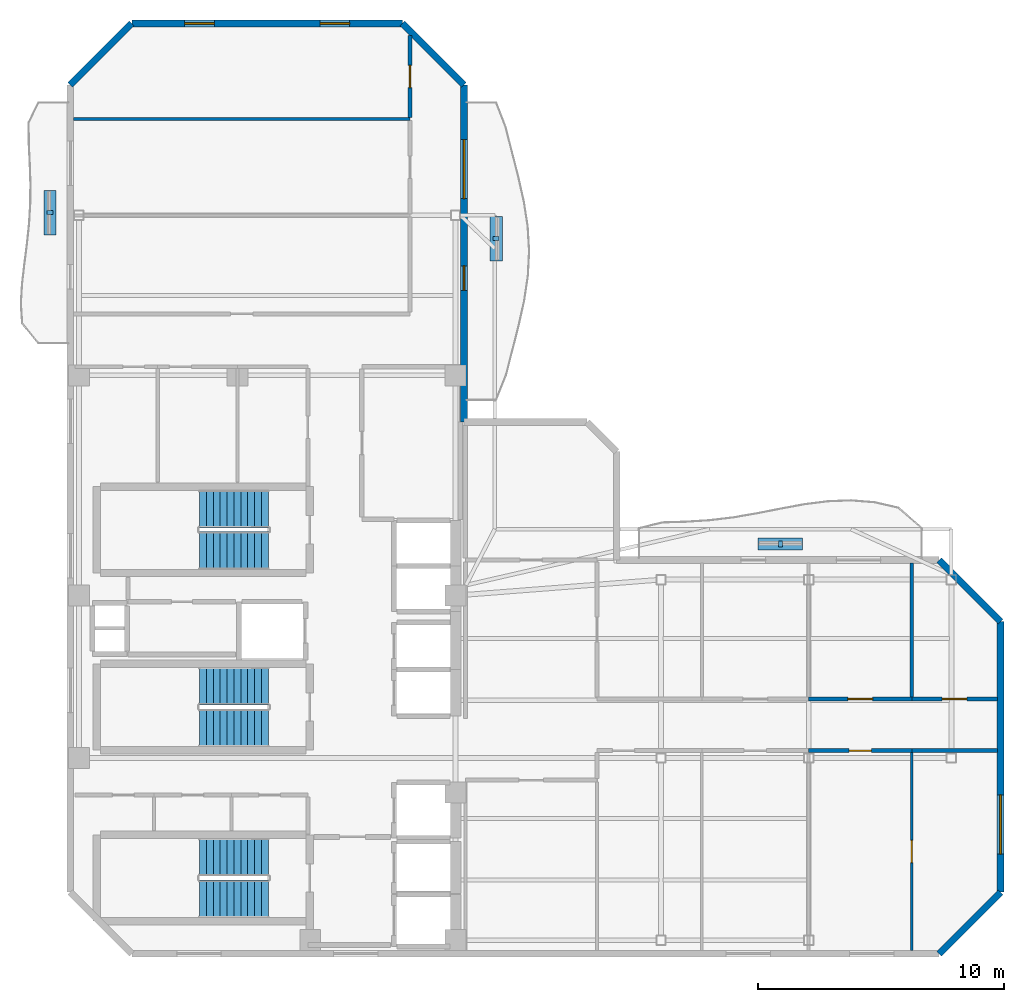
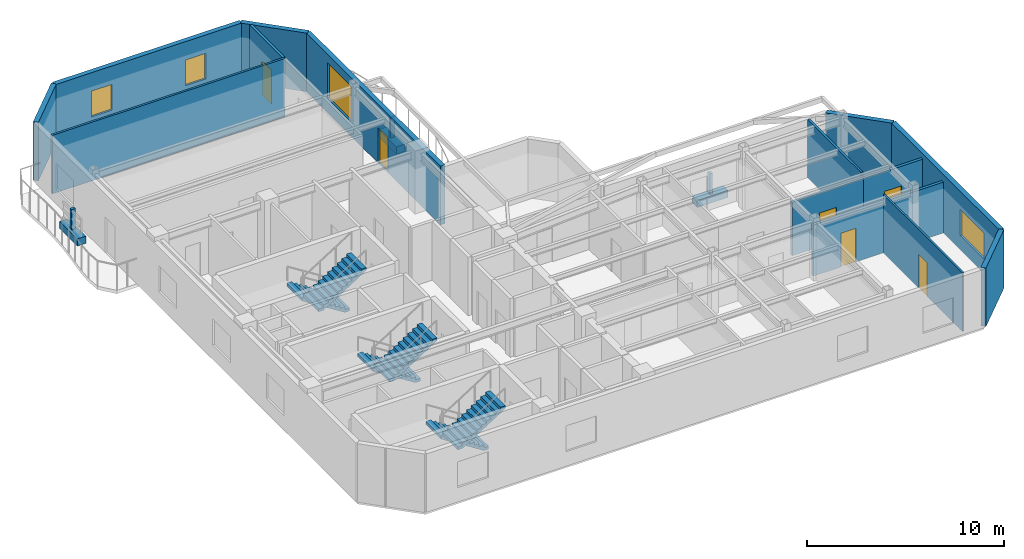
# One storey, part 5 of 7: 15 walls, 6 discrete accessories, 6 doors, 6 stair flights, 4 windows, 10 openings, 3 elements without a shape of their own.
"""IFC4 building model written with IfcOpenShell, lengths in metres."""

from ifc_helpers import new_model, si_unit, direction, frame, frame_2d, origin, origin_2d, place, context, subcontext, project, spatial, polyline, rectangle, outline, extrude, material, layer, layer_set, type_object, element, fill, aggregate, save


model = new_model("IFC4")

# Units and contexts
model_context = context("Model", 3, precision=1e-05, world=origin(), true_north=direction((0.0, 1.0)))
body_context = subcontext(model_context, "Body", "Model", "MODEL_VIEW")
ifc_project = project(units=[si_unit("LENGTHUNIT", "METRE"), si_unit("AREAUNIT", "SQUARE_METRE"), si_unit("VOLUMEUNIT", "CUBIC_METRE"), si_unit("PLANEANGLEUNIT", "RADIAN"), si_unit("MASSUNIT", "GRAM", prefix="KILO")], contexts=[model_context])

# Site, building, storey
site_placement = place(None, origin())
site = spatial("IfcSite", under=ifc_project, at=site_placement, CompositionType="ELEMENT")
building_placement = place(site_placement, origin())
building = spatial("IfcBuilding", under=site, at=building_placement, Name="Mawjaban Terraces University", CompositionType="ELEMENT")
storey_placement = place(building_placement, frame((0.0, 0.0, 302.800048828125)))
storey = spatial("IfcBuildingStorey", under=building, at=storey_placement, Name="L74", CompositionType="ELEMENT", Elevation=302.800048828125)

# Wall, opening, door
ifc_material_1 = material(Name="Fire-rated gypsum board on steel stud", Category="steel")
ifc_layer_1 = layer(ifc_material_1, 0.159912109375)
ifc_layer_set_1 = layer_set([ifc_layer_1], Name="Fire-rated gypsum board on steel stud")
wall_type_1 = type_object("IfcWallType", Name="CorridorPartition_160", PredefinedType="PARTITIONING", material=ifc_layer_set_1)
wall_1_placement = place(storey_placement, frame((52.0, 8.25, 0.0), z_axis=(0.0, 0.0, 1.0), x_axis=(1.0, 0.0, 0.0)))
wall_1 = element("IfcWall", 1, at=wall_1_placement, inside=storey, type_object=wall_type_1, Name="L74 Upper East Research Corridor Partition 21", PredefinedType="PARTITIONING", context=body_context, shape_type="SweptSolid", body=[
    extrude(rectangle(XDim=4.18994140625, YDim=0.159912109375, at=frame_2d((2.094970703125, 0.0))), origin(), (0.0, 0.0, 1.0), 3.1708984375),
])
opening_1_placement = place(wall_1_placement, frame((1.64501953125, 0.0, 0.0)))
opening_1 = element("IfcOpeningElement", 2, at=opening_1_placement, cuts=wall_1, Name="Opening ID-090", PredefinedType="OPENING", context=body_context, shape_type="SweptSolid", body=[
    extrude(rectangle(XDim=0.89990234375, YDim=2.10009765625, at=frame_2d((0.449951171875, 1.050048828125))), frame((0.0, 0.08984375, 0.0), z_axis=(0.0, -1.0, 0.0), x_axis=(1.0, 0.0, 0.0)), (0.0, 0.0, 1.0), 0.179931640625),
])
ifc_material_2 = material(Name="Powder-coated steel frame and solid acoustic timber leaf", Category="steel")
door_type_1 = type_object("IfcDoorType", Name="OfficeDoor_900x2100", OperationType="NOTDEFINED", PredefinedType="DOOR", material=ifc_material_2)
door_1_placement = place(opening_1_placement, origin())
door_1 = element("IfcDoor", 3, at=door_1_placement, inside=storey, type_object=door_type_1, Name="L74 Conference Room 6 Door", OperationType="SINGLE_SWING_LEFT", OverallHeight=2.10009765625, OverallWidth=0.89990234375, PredefinedType="DOOR", context=body_context, shape_type="SweptSolid", body=[
    extrude(rectangle(XDim=0.89990234375, YDim=2.10009765625, at=frame_2d((0.449951171875, 1.050048828125))), frame((0.0, 0.02490234375, 0.0), z_axis=(0.0, -1.0, 0.0), x_axis=(1.0, 0.0, 0.0)), (0.0, 0.0, 1.0), 0.050048828125),
])
fill(opening_1, door_1)

# Wall
wall_2_placement = place(storey_placement, frame((56.18994140625, 8.25, 0.0), z_axis=(0.0, 0.0, 1.0), x_axis=(1.0, 0.0, 0.0)))
element("IfcWall", 4, at=wall_2_placement, inside=storey, type_object=wall_type_1, Name="L74 Upper East Research Corridor Partition 23", PredefinedType="PARTITIONING", context=body_context, shape_type="SweptSolid", body=[
    extrude(rectangle(XDim=3.47705078125, YDim=0.159912109375, at=frame_2d((1.738525390625, 0.0))), origin(), (0.0, 0.0, 1.0), 3.1708984375),
])

# Wall, opening, door
wall_3_placement = place(storey_placement, frame((56.18994140625, 10.35009765625, 0.0), z_axis=(0.0, 0.0, 1.0), x_axis=(-1.0, 0.0, 0.0)))
wall_3 = element("IfcWall", 5, at=wall_3_placement, inside=storey, type_object=wall_type_1, Name="L74 Upper East Research Corridor Partition 24", PredefinedType="PARTITIONING", context=body_context, shape_type="SweptSolid", body=[
    extrude(rectangle(XDim=4.18994140625, YDim=0.159912109375, at=frame_2d((2.094970703125, 0.0))), origin(), (0.0, 0.0, 1.0), 3.322021484375),
])
opening_2_placement = place(wall_3_placement, frame((1.594970703125, 0.0, 0.0)))
opening_2 = element("IfcOpeningElement", 6, at=opening_2_placement, cuts=wall_3, Name="Opening ID-100", PredefinedType="OPENING", context=body_context, shape_type="SweptSolid", body=[
    extrude(rectangle(XDim=1.0, YDim=2.10009765625, at=frame_2d((0.5, 1.050048828125))), frame((0.0, 0.08984375, 0.0), z_axis=(0.0, -1.0, 0.0), x_axis=(1.0, 0.0, 0.0)), (0.0, 0.0, 1.0), 0.179931640625),
])
door_type_2 = type_object("IfcDoorType", Name="ClassroomDoor_1000x2100", OperationType="NOTDEFINED", PredefinedType="DOOR", material=ifc_material_2)
door_2_placement = place(opening_2_placement, origin())
door_2 = element("IfcDoor", 7, at=door_2_placement, inside=storey, type_object=door_type_2, Name="L74 Classroom 7 Door", OperationType="SINGLE_SWING_RIGHT", OverallHeight=2.10009765625, OverallWidth=1.0, PredefinedType="DOOR", context=body_context, shape_type="SweptSolid", body=[
    extrude(rectangle(XDim=1.0, YDim=2.10009765625, at=frame_2d((0.5, 1.050048828125))), frame((0.0, 0.02490234375, 0.0), z_axis=(0.0, -1.0, 0.0), x_axis=(1.0, 0.0, 0.0)), (0.0, 0.0, 1.0), 0.050048828125),
])
fill(opening_2, door_2)

wall_4_placement = place(storey_placement, frame((59.6669921875, 10.35009765625, 0.0), z_axis=(0.0, 0.0, 1.0), x_axis=(-1.0, 0.0, 0.0)))
wall_4 = element("IfcWall", 8, at=wall_4_placement, inside=storey, type_object=wall_type_1, Name="L74 Upper East Research Corridor Partition 25", PredefinedType="PARTITIONING", context=body_context, shape_type="SweptSolid", body=[
    extrude(rectangle(XDim=3.47705078125, YDim=0.159912109375, at=frame_2d((1.738525390625, 0.0))), origin(), (0.0, 0.0, 1.0), 3.322021484375),
])
opening_3_placement = place(wall_4_placement, frame((1.239013671875, 0.0, 0.0)))
opening_3 = element("IfcOpeningElement", 9, at=opening_3_placement, cuts=wall_4, Name="Opening ID-100", PredefinedType="OPENING", context=body_context, shape_type="SweptSolid", body=[
    extrude(rectangle(XDim=1.0, YDim=2.10009765625, at=frame_2d((0.5, 1.050048828125))), frame((0.0, 0.08984375, 0.0), z_axis=(0.0, -1.0, 0.0), x_axis=(1.0, 0.0, 0.0)), (0.0, 0.0, 1.0), 0.179931640625),
])
door_3_placement = place(opening_3_placement, origin())
door_3 = element("IfcDoor", 10, at=door_3_placement, inside=storey, type_object=door_type_2, Name="L74 Tutorial Room 9 Door", OperationType="SINGLE_SWING_RIGHT", OverallHeight=2.10009765625, OverallWidth=1.0, PredefinedType="DOOR", context=body_context, shape_type="SweptSolid", body=[
    extrude(rectangle(XDim=1.0, YDim=2.10009765625, at=frame_2d((0.5, 1.050048828125))), frame((0.0, 0.02490234375, 0.0), z_axis=(0.0, -1.0, 0.0), x_axis=(1.0, 0.0, 0.0)), (0.0, 0.0, 1.0), 0.050048828125),
])
fill(opening_3, door_3)

wall_5_placement = place(storey_placement, frame((35.800048828125, 37.31298828125, 0.0), z_axis=(0.0, 0.0, 1.0), x_axis=(0.0, -1.0, 0.0)))
wall_5 = element("IfcWall", 11, at=wall_5_placement, inside=storey, type_object=wall_type_1, Name="L74 Upper North Research Gallery Partition 36", PredefinedType="PARTITIONING", context=body_context, shape_type="SweptSolid", body=[
    extrude(rectangle(XDim=3.345947265625, YDim=0.159912109375, at=frame_2d((1.6728515625, 0.0))), origin(), (0.0, 0.0, 1.0), 3.639892578125),
])
opening_4_placement = place(wall_5_placement, frame((1.222900390625, 0.0, 0.0)))
opening_4 = element("IfcOpeningElement", 12, at=opening_4_placement, cuts=wall_5, Name="Opening ID-090", PredefinedType="OPENING", context=body_context, shape_type="SweptSolid", body=[
    extrude(rectangle(XDim=0.89990234375, YDim=2.10009765625, at=frame_2d((0.449951171875, 1.050048828125))), frame((0.0, 0.08984375, 0.0), z_axis=(0.0, -1.0, 0.0), x_axis=(1.0, 0.0, 0.0)), (0.0, 0.0, 1.0), 0.179931640625),
])
door_4_placement = place(opening_4_placement, origin())
door_4 = element("IfcDoor", 13, at=door_4_placement, inside=storey, type_object=door_type_1, Name="L74 Quiet Reading Room 12 Door", OperationType="SINGLE_SWING_LEFT", OverallHeight=2.10009765625, OverallWidth=0.89990234375, PredefinedType="DOOR", context=body_context, shape_type="SweptSolid", body=[
    extrude(rectangle(XDim=0.89990234375, YDim=2.10009765625, at=frame_2d((0.449951171875, 1.050048828125))), frame((0.0, 0.02490234375, 0.0), z_axis=(0.0, -1.0, 0.0), x_axis=(1.0, 0.0, 0.0)), (0.0, 0.0, 1.0), 0.050048828125),
])
fill(opening_4, door_4)

# Wall
ifc_material_3 = material(Name="Insulated terracotta rainscreen on concrete backup C40/50", Category="masonry")
ifc_layer_2 = layer(ifc_material_3, 0.27490234375)
ifc_layer_set_2 = layer_set([ifc_layer_2], Name="Insulated terracotta rainscreen on concrete backup C40/50")
wall_type_2 = type_object("IfcWallType", Name="ExtTerracottaWall_275", PredefinedType="SOLIDWALL", material=ifc_layer_set_2)
wall_6_placement = place(storey_placement, frame((57.300048828125, 0.0, 0.0), z_axis=(0.0, 0.0, 1.0), x_axis=(0.707106781187, 0.707106781187, 0.0)))
element("IfcWall", 14, at=wall_6_placement, inside=storey, type_object=wall_type_2, Name="L74 Exterior Terracotta Wall 2", PredefinedType="SOLIDWALL", context=body_context, shape_type="SweptSolid", body=[
    extrude(rectangle(XDim=3.53564453125, YDim=0.27490234375, at=frame_2d((1.767822265625, 0.0))), origin(), (0.0, 0.0, 1.0), 3.639892578125),
])

# Wall, opening, window
wall_7_placement = place(storey_placement, frame((59.800048828125, 2.5, 0.0), z_axis=(0.0, 0.0, 1.0), x_axis=(0.0, 1.0, 0.0)))
wall_7 = element("IfcWall", 15, at=wall_7_placement, inside=storey, type_object=wall_type_2, Name="L74 Exterior Terracotta Wall 3", PredefinedType="SOLIDWALL", context=body_context, shape_type="SweptSolid", body=[
    extrude(rectangle(XDim=11.0, YDim=0.27490234375, at=frame_2d((5.5, 0.0))), origin(), (0.0, 0.0, 1.0), 3.639892578125),
])
opening_5_placement = place(wall_7_placement, frame((1.550048828125, 0.0, 0.89990234375)))
opening_5 = element("IfcOpeningElement", 16, at=opening_5_placement, cuts=wall_7, Name="Opening W-05", PredefinedType="OPENING", context=body_context, shape_type="SweptSolid", body=[
    extrude(rectangle(XDim=2.39990234375, YDim=1.60009765625, at=frame_2d((1.199951171875, 0.800048828125))), frame((0.0, 0.1474609375, 0.0), z_axis=(0.0, -1.0, 0.0), x_axis=(1.0, 0.0, 0.0)), (0.0, 0.0, 1.0), 0.294921875),
])
ifc_material_4 = material(Name="Low-E solar-control double glazing in thermally broken aluminium frame", Category="aluminium")
window_type_1 = type_object("IfcWindowType", Name="Win_2400x1600", PartitioningType="SINGLE_PANEL", PredefinedType="WINDOW", material=ifc_material_4)
window_1_placement = place(opening_5_placement, origin())
window_1 = element("IfcWindow", 17, at=window_1_placement, inside=storey, type_object=window_type_1, Name="L74 Facade Window 3.1", OverallHeight=1.60009765625, OverallWidth=2.39990234375, PartitioningType="SINGLE_PANEL", PredefinedType="WINDOW", context=body_context, shape_type="SweptSolid", body=[
    extrude(rectangle(XDim=2.39990234375, YDim=1.60009765625, at=frame_2d((1.199951171875, 0.800048828125))), frame((0.0, 0.030029296875, 0.0), z_axis=(0.0, -1.0, 0.0), x_axis=(1.0, 0.0, 0.0)), (0.0, 0.0, 1.0), 0.06005859375),
])
fill(opening_5, window_1)

# Wall
wall_8_placement = place(storey_placement, frame((59.800048828125, 13.5, 0.0), z_axis=(0.0, 0.0, 1.0), x_axis=(-0.707106781187, 0.707106781187, 0.0)))
element("IfcWall", 18, at=wall_8_placement, inside=storey, type_object=wall_type_2, Name="L74 Exterior Terracotta Wall 4", PredefinedType="SOLIDWALL", context=body_context, shape_type="SweptSolid", body=[
    extrude(rectangle(XDim=3.53564453125, YDim=0.27490234375, at=frame_2d((1.767822265625, 0.0))), origin(), (0.0, 0.0, 1.0), 3.639892578125),
])

# Wall, openings, door, window
wall_9_placement = place(storey_placement, frame((38.0, 21.60009765625, 0.0), z_axis=(0.0, 0.0, 1.0), x_axis=(0.0, 1.0, 0.0)))
wall_9 = element("IfcWall", 19, at=wall_9_placement, inside=storey, type_object=wall_type_2, Name="L74 Exterior Terracotta Wall 9", PredefinedType="SOLIDWALL", context=body_context, shape_type="SweptSolid", body=[
    extrude(rectangle(XDim=13.699951171875, YDim=0.27490234375, at=frame_2d((6.85009765625, 0.0))), origin(), (0.0, 0.0, 1.0), 3.639892578125),
])
opening_6_placement = place(wall_9_placement, frame((5.35009765625, 0.0, 0.0)))
opening_6 = element("IfcOpeningElement", 20, at=opening_6_placement, cuts=wall_9, Name="Opening BD-100", PredefinedType="OPENING", context=body_context, shape_type="SweptSolid", body=[
    extrude(rectangle(XDim=1.0, YDim=2.199951171875, at=frame_2d((0.5, 1.10009765625))), frame((0.0, 0.1474609375, 0.0), z_axis=(0.0, -1.0, 0.0), x_axis=(1.0, 0.0, 0.0)), (0.0, 0.0, 1.0), 0.294921875),
])
opening_7_placement = place(wall_9_placement, frame((9.074951171875, 0.0, 0.89990234375)))
opening_7 = element("IfcOpeningElement", 21, at=opening_7_placement, cuts=wall_9, Name="Opening W-11", PredefinedType="OPENING", context=body_context, shape_type="SweptSolid", body=[
    extrude(rectangle(XDim=2.39990234375, YDim=2.199951171875, at=frame_2d((1.199951171875, 1.10009765625))), frame((0.0, 0.1474609375, 0.0), z_axis=(0.0, -1.0, 0.0), x_axis=(1.0, 0.0, 0.0)), (0.0, 0.0, 1.0), 0.294921875),
])
ifc_material_5 = material(Name="Thermally broken anodised aluminium and laminated safety glass", Category="aluminium")
door_type_3 = type_object("IfcDoorType", Name="BalconyGlazedDoor_1000x2200", OperationType="NOTDEFINED", PredefinedType="DOOR", material=ifc_material_5)
door_5_placement = place(opening_6_placement, origin())
door_5 = element("IfcDoor", 22, at=door_5_placement, inside=storey, type_object=door_type_3, Name="L74 Balcony Access Door inner_east", OperationType="SINGLE_SWING_LEFT", OverallHeight=2.199951171875, OverallWidth=1.0, PredefinedType="DOOR", context=body_context, shape_type="SweptSolid", body=[
    extrude(rectangle(XDim=1.0, YDim=2.199951171875, at=frame_2d((0.5, 1.10009765625))), frame((0.0, 0.02490234375, 0.0), z_axis=(0.0, -1.0, 0.0), x_axis=(1.0, 0.0, 0.0)), (0.0, 0.0, 1.0), 0.050048828125),
])
fill(opening_6, door_5)
window_type_2 = type_object("IfcWindowType", Name="Win_2400x2200", PartitioningType="SINGLE_PANEL", PredefinedType="WINDOW", material=ifc_material_4)
window_2_placement = place(opening_7_placement, origin())
window_2 = element("IfcWindow", 23, at=window_2_placement, inside=storey, type_object=window_type_2, Name="L74 Facade Window 9.2", OverallHeight=2.199951171875, OverallWidth=2.39990234375, PartitioningType="SINGLE_PANEL", PredefinedType="WINDOW", context=body_context, shape_type="SweptSolid", body=[
    extrude(rectangle(XDim=2.39990234375, YDim=2.199951171875, at=frame_2d((1.199951171875, 1.10009765625))), frame((0.0, 0.030029296875, 0.0), z_axis=(0.0, -1.0, 0.0), x_axis=(1.0, 0.0, 0.0)), (0.0, 0.0, 1.0), 0.06005859375),
])
fill(opening_7, window_2)

# Wall
wall_10_placement = place(storey_placement, frame((38.0, 35.300048828125, 0.0), z_axis=(0.0, 0.0, 1.0), x_axis=(-0.707106781187, 0.707106781187, 0.0)))
element("IfcWall", 24, at=wall_10_placement, inside=storey, type_object=wall_type_2, Name="L74 Exterior Terracotta Wall 10", PredefinedType="SOLIDWALL", context=body_context, shape_type="SweptSolid", body=[
    extrude(rectangle(XDim=3.53564453125, YDim=0.27490234375, at=frame_2d((1.767822265625, 0.0))), origin(), (0.0, 0.0, 1.0), 3.639892578125),
])

# Wall, openings, windows
wall_11_placement = place(storey_placement, frame((35.5, 37.800048828125, 0.0), z_axis=(0.0, 0.0, 1.0), x_axis=(-1.0, 0.0, 0.0)))
wall_11 = element("IfcWall", 25, at=wall_11_placement, inside=storey, type_object=wall_type_2, Name="L74 Exterior Terracotta Wall 11", PredefinedType="SOLIDWALL", context=body_context, shape_type="SweptSolid", body=[
    extrude(rectangle(XDim=11.0, YDim=0.27490234375, at=frame_2d((5.5, 0.0))), origin(), (0.0, 0.0, 1.0), 3.639892578125),
])
opening_8_placement = place(wall_11_placement, frame((2.14990234375, 0.0, 0.89990234375)))
opening_8 = element("IfcOpeningElement", 26, at=opening_8_placement, cuts=wall_11, Name="Opening W-01", PredefinedType="OPENING", context=body_context, shape_type="SweptSolid", body=[
    extrude(rectangle(XDim=1.199951171875, YDim=1.60009765625, at=frame_2d((0.60009765625, 0.800048828125))), frame((0.0, 0.1474609375, 0.0), z_axis=(0.0, -1.0, 0.0), x_axis=(1.0, 0.0, 0.0)), (0.0, 0.0, 1.0), 0.294921875),
])
opening_9_placement = place(wall_11_placement, frame((7.64990234375, 0.0, 0.89990234375)))
opening_9 = element("IfcOpeningElement", 27, at=opening_9_placement, cuts=wall_11, Name="Opening W-01", PredefinedType="OPENING", context=body_context, shape_type="SweptSolid", body=[
    extrude(rectangle(XDim=1.199951171875, YDim=1.60009765625, at=frame_2d((0.60009765625, 0.800048828125))), frame((0.0, 0.1474609375, 0.0), z_axis=(0.0, -1.0, 0.0), x_axis=(1.0, 0.0, 0.0)), (0.0, 0.0, 1.0), 0.294921875),
])
window_type_3 = type_object("IfcWindowType", Name="Win_1200x1600", PartitioningType="SINGLE_PANEL", PredefinedType="WINDOW", material=ifc_material_4)
window_3_placement = place(opening_8_placement, origin())
window_3 = element("IfcWindow", 28, at=window_3_placement, inside=storey, type_object=window_type_3, Name="L74 Facade Window 11.1", OverallHeight=1.60009765625, OverallWidth=1.199951171875, PartitioningType="SINGLE_PANEL", PredefinedType="WINDOW", context=body_context, shape_type="SweptSolid", body=[
    extrude(rectangle(XDim=1.199951171875, YDim=1.60009765625, at=frame_2d((0.60009765625, 0.800048828125))), frame((0.0, 0.030029296875, 0.0), z_axis=(0.0, -1.0, 0.0), x_axis=(1.0, 0.0, 0.0)), (0.0, 0.0, 1.0), 0.06005859375),
])
fill(opening_8, window_3)
window_4_placement = place(opening_9_placement, origin())
window_4 = element("IfcWindow", 29, at=window_4_placement, inside=storey, type_object=window_type_3, Name="L74 Facade Window 11.2", OverallHeight=1.60009765625, OverallWidth=1.199951171875, PartitioningType="SINGLE_PANEL", PredefinedType="WINDOW", context=body_context, shape_type="SweptSolid", body=[
    extrude(rectangle(XDim=1.199951171875, YDim=1.60009765625, at=frame_2d((0.60009765625, 0.800048828125))), frame((0.0, 0.030029296875, 0.0), z_axis=(0.0, -1.0, 0.0), x_axis=(1.0, 0.0, 0.0)), (0.0, 0.0, 1.0), 0.06005859375),
])
fill(opening_9, window_4)

# Walls
wall_12_placement = place(storey_placement, frame((24.5, 37.800048828125, 0.0), z_axis=(0.0, 0.0, 1.0), x_axis=(-0.707106781187, -0.707106781187, 0.0)))
element("IfcWall", 30, at=wall_12_placement, inside=storey, type_object=wall_type_2, Name="L74 Exterior Terracotta Wall 12", PredefinedType="SOLIDWALL", context=body_context, shape_type="SweptSolid", body=[
    extrude(rectangle(XDim=3.53564453125, YDim=0.27490234375, at=frame_2d((1.767822265625, 0.0))), origin(), (0.0, 0.0, 1.0), 3.639892578125),
])
ifc_material_6 = material(Name="Gypsum plasterboard on steel stud", Category="steel")
ifc_layer_3 = layer(ifc_material_6, 0.125)
ifc_layer_set_3 = layer_set([ifc_layer_3], Name="Gypsum plasterboard on steel stud")
wall_type_3 = type_object("IfcWallType", Name="OfficePartition_125", PredefinedType="PARTITIONING", material=ifc_layer_set_3)
wall_13_placement = place(storey_placement, frame((35.800048828125, 33.909912109375, 0.0), z_axis=(0.0, 0.0, 1.0), x_axis=(-1.0, 0.0, 0.0)))
element("IfcWall", 31, at=wall_13_placement, inside=storey, type_object=wall_type_3, Name="L74 Student Tea Pantry 11 Partition 14", PredefinedType="PARTITIONING", context=body_context, shape_type="SweptSolid", body=[
    extrude(rectangle(XDim=13.6669921875, YDim=0.125, at=frame_2d((6.83349609375, 0.0))), origin(), (0.0, 0.0, 1.0), 3.639892578125),
])
wall_14_placement = place(storey_placement, frame((56.18994140625, 10.425048828125, 0.0), z_axis=(0.0, 0.0, 1.0), x_axis=(0.0, 1.0, 0.0)))
element("IfcWall", 32, at=wall_14_placement, inside=storey, type_object=wall_type_3, Name="L74 Classroom 7 Partition 49", PredefinedType="PARTITIONING", context=body_context, shape_type="SweptSolid", body=[
    extrude(rectangle(XDim=5.44189453125, YDim=0.125, at=frame_2d((2.720947265625, 0.0))), origin(), (0.0, 0.0, 1.0), 3.639892578125),
])

# Wall, opening, door
ifc_material_7 = material(Name="Acoustic operable panel partition", Category="masonry")
ifc_layer_4 = layer(ifc_material_7, 0.110107421875)
ifc_layer_set_4 = layer_set([ifc_layer_4], Name="Acoustic operable panel partition")
wall_type_4 = type_object("IfcWallType", Name="OperableSeminarWall_110", PredefinedType="MOVABLE", material=ifc_layer_set_4)
wall_15_placement = place(storey_placement, frame((56.18994140625, 0.133056640625, 0.0), z_axis=(0.0, 0.0, 1.0), x_axis=(0.0, 1.0, 0.0)))
wall_15 = element("IfcWall", 33, at=wall_15_placement, inside=storey, type_object=wall_type_4, Name="L74 Conference Room 6 Partition 48", PredefinedType="MOVABLE", context=body_context, shape_type="SweptSolid", body=[
    extrude(rectangle(XDim=8.0419921875, YDim=0.110107421875, at=frame_2d((4.02099609375, 0.0))), origin(), (0.0, 0.0, 1.0), 3.639892578125),
])
opening_10_placement = place(wall_15_placement, frame((3.571044921875, 0.0, 0.0)))
opening_10 = element("IfcOpeningElement", 34, at=opening_10_placement, cuts=wall_15, Name="Opening ID-090", PredefinedType="OPENING", context=body_context, shape_type="SweptSolid", body=[
    extrude(rectangle(XDim=0.89990234375, YDim=2.10009765625, at=frame_2d((0.449951171875, 1.050048828125))), frame((0.0, 0.06494140625, 0.0), z_axis=(0.0, -1.0, 0.0), x_axis=(1.0, 0.0, 0.0)), (0.0, 0.0, 1.0), 0.130126953125),
])
door_6_placement = place(opening_10_placement, origin())
door_6 = element("IfcDoor", 35, at=door_6_placement, inside=storey, type_object=door_type_1, Name="L74 Seminar Room 8 Door", OperationType="SINGLE_SWING_LEFT", OverallHeight=2.10009765625, OverallWidth=0.89990234375, PredefinedType="DOOR", context=body_context, shape_type="SweptSolid", body=[
    extrude(rectangle(XDim=0.89990234375, YDim=2.10009765625, at=frame_2d((0.449951171875, 1.050048828125))), frame((0.0, 0.02490234375, 0.0), z_axis=(0.0, -1.0, 0.0), x_axis=(1.0, 0.0, 0.0)), (0.0, 0.0, 1.0), 0.050048828125),
])
fill(opening_10, door_6)

# Stair, stair flights
ifc_material_8 = material(Name="Concrete C40/50", Category="concrete")
stair_type = type_object("IfcStairType", Name="Stair_Core1550_H39", PredefinedType="HALF_TURN_STAIR", material=ifc_material_8)
stair_1_placement = place(storey_placement, origin())
stair_1 = element("IfcStair", 36, at=stair_1_placement, inside=storey, type_object=stair_type, Name="L74 Core Exit Stair 1", PredefinedType="HALF_TURN_STAIR")
stair_flight_type = type_object("IfcStairFlightType", Name="Flight_Core1550_H39", PredefinedType="STRAIGHT", material=ifc_material_8)
stair_flight_1_placement = place(storey_placement, frame((30.050048828125, 3.925048828125, 0.0), z_axis=(0.0, 0.0, 1.0), x_axis=(-1.0, 0.0, 0.0)))
stair_flight_1 = element("IfcStairFlight", 37, at=stair_flight_1_placement, type_object=stair_flight_type, Name="ST-1 flight 1", NumberOfRisers=11, NumberOfTreads=10, PredefinedType="STRAIGHT", RiserHeight=0.177272727, TreadLength=0.28, context=body_context, shape_type="SweptSolid", body=[
    extrude(outline(polyline([(0.0, 0.0), (0.0, 0.17724609375), (0.280029296875, 0.17724609375), (0.280029296875, 0.3544921875), (0.56005859375, 0.3544921875), (0.56005859375, 0.53173828125), (0.840087890625, 0.53173828125), (0.840087890625, 0.708984375), (1.1201171875, 0.708984375), (1.1201171875, 0.886474609375), (1.39990234375, 0.886474609375), (1.39990234375, 1.063720703125), (1.679931640625, 1.063720703125), (1.679931640625, 1.240966796875), (1.9599609375, 1.240966796875), (1.9599609375, 1.418212890625), (2.239990234375, 1.418212890625), (2.239990234375, 1.595458984375), (2.52001953125, 1.595458984375), (2.52001953125, 1.772705078125), (2.800048828125, 1.772705078125), (2.800048828125, 1.949951171875), (2.800048828125, 1.59521484375), (0.2802734375, 0.0), (0.0, 0.0)])), frame((0.0, 0.77490234375, 0.0), z_axis=(0.0, -1.0, 0.0), x_axis=(1.0, 0.0, 0.0)), (0.0, 0.0, 1.0), 1.550048828125),
])
stair_flight_2_placement = place(storey_placement, frame((27.25, 2.22509765625, 1.949951171875), z_axis=(0.0, 0.0, 1.0), x_axis=(1.0, 0.0, 0.0)))
stair_flight_2 = element("IfcStairFlight", 38, at=stair_flight_2_placement, type_object=stair_flight_type, Name="ST-1 flight 2", NumberOfRisers=11, NumberOfTreads=10, PredefinedType="STRAIGHT", RiserHeight=0.177272727, TreadLength=0.28, context=body_context, shape_type="SweptSolid", body=[
    extrude(outline(polyline([(0.0, 0.0), (0.0, 0.17724609375), (0.280029296875, 0.17724609375), (0.280029296875, 0.3544921875), (0.56005859375, 0.3544921875), (0.56005859375, 0.53173828125), (0.840087890625, 0.53173828125), (0.840087890625, 0.708984375), (1.1201171875, 0.708984375), (1.1201171875, 0.886474609375), (1.39990234375, 0.886474609375), (1.39990234375, 1.063720703125), (1.679931640625, 1.063720703125), (1.679931640625, 1.240966796875), (1.9599609375, 1.240966796875), (1.9599609375, 1.418212890625), (2.239990234375, 1.418212890625), (2.239990234375, 1.595458984375), (2.52001953125, 1.595458984375), (2.52001953125, 1.772705078125), (2.800048828125, 1.772705078125), (2.800048828125, 1.949951171875), (2.800048828125, 1.59521484375), (0.2802734375, 0.0), (0.0, 0.0)])), frame((0.0, 0.77490234375, 0.0), z_axis=(0.0, -1.0, 0.0), x_axis=(1.0, 0.0, 0.0)), (0.0, 0.0, 1.0), 1.550048828125),
])
aggregate(stair_1, [stair_flight_1, stair_flight_2])

stair_2_placement = place(storey_placement, origin())
stair_2 = element("IfcStair", 39, at=stair_2_placement, inside=storey, type_object=stair_type, Name="L74 Core Exit Stair 2", PredefinedType="HALF_TURN_STAIR")
stair_flight_3_placement = place(storey_placement, frame((30.050048828125, 18.074951171875, 0.0), z_axis=(0.0, 0.0, 1.0), x_axis=(-1.0, 0.0, 0.0)))
stair_flight_3 = element("IfcStairFlight", 40, at=stair_flight_3_placement, type_object=stair_flight_type, Name="ST-2 flight 1", NumberOfRisers=11, NumberOfTreads=10, PredefinedType="STRAIGHT", RiserHeight=0.177272727, TreadLength=0.28, context=body_context, shape_type="SweptSolid", body=[
    extrude(outline(polyline([(0.0, 0.0), (0.0, 0.17724609375), (0.280029296875, 0.17724609375), (0.280029296875, 0.3544921875), (0.56005859375, 0.3544921875), (0.56005859375, 0.53173828125), (0.840087890625, 0.53173828125), (0.840087890625, 0.708984375), (1.1201171875, 0.708984375), (1.1201171875, 0.886474609375), (1.39990234375, 0.886474609375), (1.39990234375, 1.063720703125), (1.679931640625, 1.063720703125), (1.679931640625, 1.240966796875), (1.9599609375, 1.240966796875), (1.9599609375, 1.418212890625), (2.239990234375, 1.418212890625), (2.239990234375, 1.595458984375), (2.52001953125, 1.595458984375), (2.52001953125, 1.772705078125), (2.800048828125, 1.772705078125), (2.800048828125, 1.949951171875), (2.800048828125, 1.59521484375), (0.2802734375, 0.0), (0.0, 0.0)])), frame((0.0, 0.77490234375, 0.0), z_axis=(0.0, -1.0, 0.0), x_axis=(1.0, 0.0, 0.0)), (0.0, 0.0, 1.0), 1.550048828125),
])
stair_flight_4_placement = place(storey_placement, frame((27.25, 16.375, 1.949951171875), z_axis=(0.0, 0.0, 1.0), x_axis=(1.0, 0.0, 0.0)))
stair_flight_4 = element("IfcStairFlight", 41, at=stair_flight_4_placement, type_object=stair_flight_type, Name="ST-2 flight 2", NumberOfRisers=11, NumberOfTreads=10, PredefinedType="STRAIGHT", RiserHeight=0.177272727, TreadLength=0.28, context=body_context, shape_type="SweptSolid", body=[
    extrude(outline(polyline([(0.0, 0.0), (0.0, 0.17724609375), (0.280029296875, 0.17724609375), (0.280029296875, 0.3544921875), (0.56005859375, 0.3544921875), (0.56005859375, 0.53173828125), (0.840087890625, 0.53173828125), (0.840087890625, 0.708984375), (1.1201171875, 0.708984375), (1.1201171875, 0.886474609375), (1.39990234375, 0.886474609375), (1.39990234375, 1.063720703125), (1.679931640625, 1.063720703125), (1.679931640625, 1.240966796875), (1.9599609375, 1.240966796875), (1.9599609375, 1.418212890625), (2.239990234375, 1.418212890625), (2.239990234375, 1.595458984375), (2.52001953125, 1.595458984375), (2.52001953125, 1.772705078125), (2.800048828125, 1.772705078125), (2.800048828125, 1.949951171875), (2.800048828125, 1.59521484375), (0.2802734375, 0.0), (0.0, 0.0)])), frame((0.0, 0.77490234375, 0.0), z_axis=(0.0, -1.0, 0.0), x_axis=(1.0, 0.0, 0.0)), (0.0, 0.0, 1.0), 1.550048828125),
])
aggregate(stair_2, [stair_flight_3, stair_flight_4])

stair_3_placement = place(storey_placement, origin())
stair_3 = element("IfcStair", 42, at=stair_3_placement, inside=storey, type_object=stair_type, Name="L74 Core Exit Stair 3", PredefinedType="HALF_TURN_STAIR")
stair_flight_5_placement = place(storey_placement, frame((30.050048828125, 10.875, 0.0), z_axis=(0.0, 0.0, 1.0), x_axis=(-1.0, 0.0, 0.0)))
stair_flight_5 = element("IfcStairFlight", 43, at=stair_flight_5_placement, type_object=stair_flight_type, Name="ST-3 flight 1", NumberOfRisers=11, NumberOfTreads=10, PredefinedType="STRAIGHT", RiserHeight=0.177272727, TreadLength=0.28, context=body_context, shape_type="SweptSolid", body=[
    extrude(outline(polyline([(0.0, 0.0), (0.0, 0.17724609375), (0.280029296875, 0.17724609375), (0.280029296875, 0.3544921875), (0.56005859375, 0.3544921875), (0.56005859375, 0.53173828125), (0.840087890625, 0.53173828125), (0.840087890625, 0.708984375), (1.1201171875, 0.708984375), (1.1201171875, 0.886474609375), (1.39990234375, 0.886474609375), (1.39990234375, 1.063720703125), (1.679931640625, 1.063720703125), (1.679931640625, 1.240966796875), (1.9599609375, 1.240966796875), (1.9599609375, 1.418212890625), (2.239990234375, 1.418212890625), (2.239990234375, 1.595458984375), (2.52001953125, 1.595458984375), (2.52001953125, 1.772705078125), (2.800048828125, 1.772705078125), (2.800048828125, 1.949951171875), (2.800048828125, 1.59521484375), (0.2802734375, 0.0), (0.0, 0.0)])), frame((0.0, 0.77490234375, 0.0), z_axis=(0.0, -1.0, 0.0), x_axis=(1.0, 0.0, 0.0)), (0.0, 0.0, 1.0), 1.550048828125),
])
stair_flight_6_placement = place(storey_placement, frame((27.25, 9.175048828125, 1.949951171875), z_axis=(0.0, 0.0, 1.0), x_axis=(1.0, 0.0, 0.0)))
stair_flight_6 = element("IfcStairFlight", 44, at=stair_flight_6_placement, type_object=stair_flight_type, Name="ST-3 flight 2", NumberOfRisers=11, NumberOfTreads=10, PredefinedType="STRAIGHT", RiserHeight=0.177272727, TreadLength=0.28, context=body_context, shape_type="SweptSolid", body=[
    extrude(outline(polyline([(0.0, 0.0), (0.0, 0.17724609375), (0.280029296875, 0.17724609375), (0.280029296875, 0.3544921875), (0.56005859375, 0.3544921875), (0.56005859375, 0.53173828125), (0.840087890625, 0.53173828125), (0.840087890625, 0.708984375), (1.1201171875, 0.708984375), (1.1201171875, 0.886474609375), (1.39990234375, 0.886474609375), (1.39990234375, 1.063720703125), (1.679931640625, 1.063720703125), (1.679931640625, 1.240966796875), (1.9599609375, 1.240966796875), (1.9599609375, 1.418212890625), (2.239990234375, 1.418212890625), (2.239990234375, 1.595458984375), (2.52001953125, 1.595458984375), (2.52001953125, 1.772705078125), (2.800048828125, 1.772705078125), (2.800048828125, 1.949951171875), (2.800048828125, 1.59521484375), (0.2802734375, 0.0), (0.0, 0.0)])), frame((0.0, 0.77490234375, 0.0), z_axis=(0.0, -1.0, 0.0), x_axis=(1.0, 0.0, 0.0)), (0.0, 0.0, 1.0), 1.550048828125),
])
aggregate(stair_3, [stair_flight_5, stair_flight_6])

# Discrete accessories
ifc_material_9 = material(Name="Stainless steel 316L", Category="steel")
discrete_accessory_type_1 = type_object("IfcDiscreteAccessoryType", Name="FacadeScreenBracket_Steel", PredefinedType="BRACKET", material=ifc_material_9)
for number, where, z_axis, x_axis, name in (
    (45, (21.175048828125, 30.10791015625, 0.419921875), (0.0, 0.0, 1.0), (0.0, 1.0, 0.0), "L74 Balcony Screen Support Bracket west"),
    (46, (50.85009765625, 16.64501953125, 0.419921875), (0.0, 0.0, 1.0), (1.0, 0.0, 0.0), "L74 Balcony Screen Support Bracket inner_north"),
    (47, (39.304931640625, 29.053955078125, 0.419921875), (0.0, 0.0, 1.0), (0.0, 1.0, 0.0), "L74 Balcony Screen Support Bracket inner_east"),
):
    element("IfcDiscreteAccessory", number, at=place(storey_placement, frame(where, z_axis=z_axis, x_axis=x_axis)), inside=storey, type_object=discrete_accessory_type_1, Name=name, PredefinedType="BRACKET", context=body_context, shape_type="SweptSolid", body=[
        extrude(rectangle(XDim=0.159912109375, YDim=0.239990234375, at=origin_2d()), origin(), (0.0, 0.0, 1.0), 1.300048828125),
    ])
ifc_material_10 = material(Name="Precast architectural terracotta planter with engineered planting soil", Category="masonry")
discrete_accessory_type_2 = type_object("IfcDiscreteAccessoryType", Name="IrrigatedPlanterTrough_450", PredefinedType="USERDEFINED", material=ifc_material_10)
for number, where, z_axis, x_axis, name in (
    (48, (21.175048828125, 30.10791015625, -0.0048828125), (0.0, 0.0, 1.0), (0.0, 1.0, 0.0), "L74 Balcony Irrigated Planter west"),
    (49, (50.85009765625, 16.64501953125, -0.0048828125), (0.0, 0.0, 1.0), (1.0, 0.0, 0.0), "L74 Balcony Irrigated Planter inner_north"),
    (50, (39.304931640625, 29.053955078125, -0.0048828125), (0.0, 0.0, 1.0), (0.0, 1.0, 0.0), "L74 Balcony Irrigated Planter inner_east"),
):
    element("IfcDiscreteAccessory", number, at=place(storey_placement, frame(where, z_axis=z_axis, x_axis=x_axis)), inside=storey, type_object=discrete_accessory_type_2, Name=name, ObjectType="PLANTER", PredefinedType="USERDEFINED", context=body_context, shape_type="SweptSolid", body=[
        extrude(rectangle(XDim=1.800048828125, YDim=0.5, at=origin_2d()), origin(), (0.0, 0.0, 1.0), 0.449951171875),
    ])

save(model, "model.ifc")
